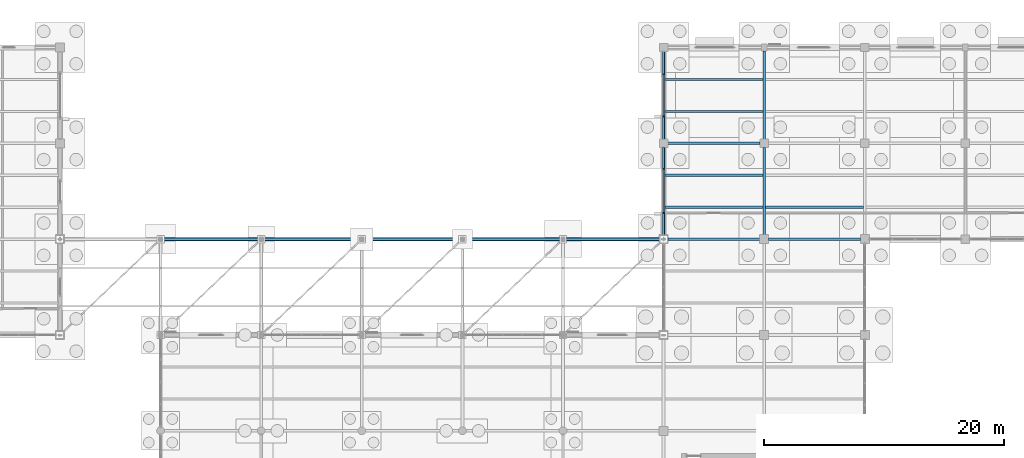
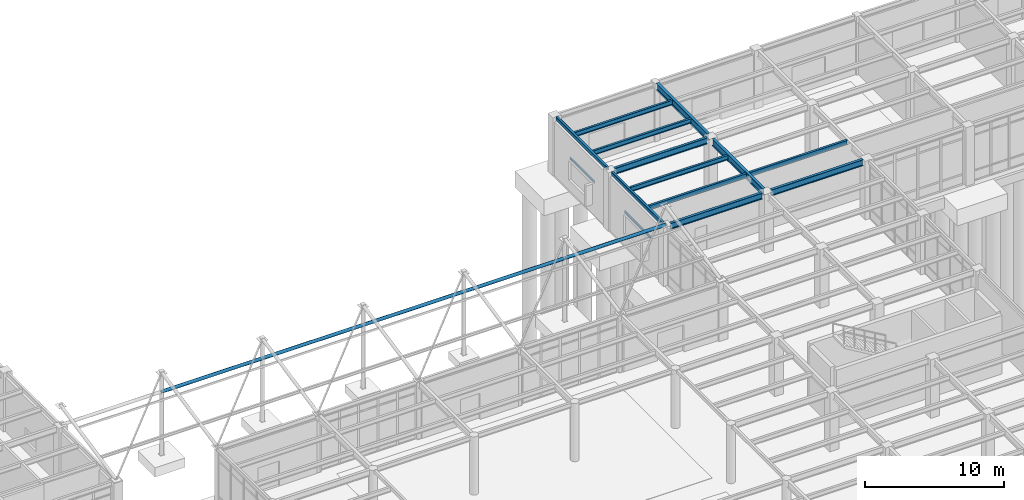
# One storey, part 50 of 138: 14 beams, 5 members.
"""IFC4 building model written with IfcOpenShell, lengths in metres."""

from ifc_helpers import new_model, si_unit, direction, frame, origin, origin_2d, place, context, subcontext, project, spatial, hollow_rectangle, hollow_circle, i_section, extrude, material, material_profile, profile_set, type_object, element, save


model = new_model("IFC4")

# Units and contexts
model_context = context("Model", 3, precision=1e-05, world=origin(), true_north=direction((0.0, 1.0)))
body_context = subcontext(model_context, "Body", "Model", "MODEL_VIEW")
ifc_project = project(units=[si_unit("LENGTHUNIT", "METRE"), si_unit("AREAUNIT", "SQUARE_METRE"), si_unit("VOLUMEUNIT", "CUBIC_METRE"), si_unit("PLANEANGLEUNIT", "RADIAN"), si_unit("MASSUNIT", "GRAM", prefix="KILO")], contexts=[model_context])

# Site, building, storey
site_placement = place(None, origin())
site = spatial("IfcSite", under=ifc_project, at=site_placement, CompositionType="ELEMENT")
building_placement = place(site_placement, origin())
building = spatial("IfcBuilding", under=site, at=building_placement, Name="Kranzveld Transit Interchange", CompositionType="ELEMENT")
storey_placement = place(building_placement, origin())
storey = spatial("IfcBuildingStorey", under=building, at=storey_placement, Name="L00", CompositionType="ELEMENT", Elevation=0.0)

# Beams
ifc_material_1 = material(Name="Steel S355JR", Category="steel")
ifc_material_profile_1 = material_profile(ifc_material_1, hollow_rectangle(XDim=0.199951171875, YDim=0.300048828125, WallThickness=0.010009765625, InnerFilletRadius=0.014892578125, OuterFilletRadius=0.02490234375, at=origin_2d()), Name="RHS 300x200x10")
ifc_profile_set_1 = profile_set([ifc_material_profile_1], Name="Steel S355JR")
beam_type_1 = type_object("IfcBeamType", Name="Edge Spandrel RHS 300x200x10 S355JR", PredefinedType="SPANDREL", material=ifc_profile_set_1)
beam_1_placement = place(storey_placement, frame((100.800048828125, 96.364990234375, 5.0), z_axis=(0.0, 1.0, 0.0), x_axis=(-1.0, 0.0, 0.0)))
element("IfcBeam", 1, at=beam_1_placement, inside=storey, type_object=beam_type_1, Name="L00 Girder 13/N-P", PredefinedType="SPANDREL", context=body_context, shape_type="SweptSolid", body=[
    extrude(hollow_rectangle(XDim=0.199951171875, YDim=0.300048828125, WallThickness=0.010009765625, InnerFilletRadius=0.014892578125, OuterFilletRadius=0.02490234375, at=origin_2d()), origin(), (0.0, 0.0, 1.0), 7.294921875),
])
beam_2_placement = place(storey_placement, frame((100.800048828125, 104.340087890625, 5.0), z_axis=(0.0, 1.0, 0.0), x_axis=(-1.0, 0.0, 0.0)))
element("IfcBeam", 2, at=beam_2_placement, inside=storey, type_object=beam_type_1, Name="L00 Girder 13/P-Q", PredefinedType="SPANDREL", context=body_context, shape_type="SweptSolid", body=[
    extrude(hollow_rectangle(XDim=0.199951171875, YDim=0.300048828125, WallThickness=0.010009765625, InnerFilletRadius=0.014892578125, OuterFilletRadius=0.02490234375, at=origin_2d()), origin(), (0.0, 0.0, 1.0), 7.31982421875),
])
ifc_material_2 = material(Name="Steel S355JR", Category="steel")
ifc_material_profile_2 = material_profile(ifc_material_2, i_section(OverallWidth=0.177734375, OverallDepth=0.402587890625, WebThickness=0.0078125, FlangeThickness=0.010986328125, FilletRadius=0.01025390625, at=origin_2d()), Name="UB 406x178x54")
ifc_profile_set_2 = profile_set([ifc_material_profile_2], Name="Steel S355JR")
beam_type_2 = type_object("IfcBeamType", Name="Floor Joist UB 406x178x54 S355JR", PredefinedType="JOIST", material=ifc_profile_set_2)
for number, where, z_axis, x_axis, name in (
    (3, (100.902099609375, 98.666748046875, 4.94873046875), (1.0, 0.0, 0.0), (0.0, 1.0, 0.0), "L00 Secondary Joist 13-14/N.1"),
    (4, (100.902099609375, 101.333251953125, 4.94873046875), (1.0, 0.0, 0.0), (0.0, 1.0, 0.0), "L00 Secondary Joist 13-14/N.2"),
    (5, (100.902099609375, 106.666748046875, 4.94873046875), (1.0, 0.0, 0.0), (0.0, 1.0, 0.0), "L00 Secondary Joist 13-14/P.1"),
    (6, (100.902099609375, 109.333251953125, 4.94873046875), (1.0, 0.0, 0.0), (0.0, 1.0, 0.0), "L00 Secondary Joist 13-14/P.2"),
):
    element("IfcBeam", number, at=place(storey_placement, frame(where, z_axis=z_axis, x_axis=x_axis)), inside=storey, type_object=beam_type_2, Name=name, PredefinedType="JOIST", context=body_context, shape_type="SweptSolid", body=[
        extrude(i_section(OverallWidth=0.177734375, OverallDepth=0.402587890625, WebThickness=0.0078125, FlangeThickness=0.010986328125, FilletRadius=0.01025390625, at=origin_2d()), origin(), (0.0, 0.0, 1.0), 8.181884765625),
    ])
beam_3_placement = place(storey_placement, frame((109.316162109375, 98.666748046875, 4.94873046875), z_axis=(1.0, 0.0, 0.0), x_axis=(0.0, 1.0, 0.0)))
element("IfcBeam", 7, at=beam_3_placement, inside=storey, type_object=beam_type_2, Name="L00 Secondary Joist 14-15/N.1", PredefinedType="JOIST", context=body_context, shape_type="SweptSolid", body=[
    extrude(i_section(OverallWidth=0.177734375, OverallDepth=0.402587890625, WebThickness=0.0078125, FlangeThickness=0.010986328125, FilletRadius=0.01025390625, at=origin_2d()), origin(), (0.0, 0.0, 1.0), 8.167724609375),
])
ifc_material_3 = material(Name="Steel S355JR", Category="steel")
ifc_material_profile_3 = material_profile(ifc_material_3, i_section(OverallWidth=0.2119140625, OverallDepth=0.54443359375, WebThickness=0.0126953125, FlangeThickness=0.021240234375, FilletRadius=0.0126953125, at=origin_2d()), Name="UB 533x210x122")
ifc_profile_set_3 = profile_set([ifc_material_profile_3], Name="Steel S355JR")
beam_type_3 = type_object("IfcBeamType", Name="Girder Steel UB 533x210x122 S355JR", PredefinedType="BEAM", material=ifc_profile_set_3)
beam_4_placement = place(storey_placement, frame((101.1650390625, 96.0, 4.877685546875), z_axis=(1.0, 0.0, 0.0), x_axis=(0.0, 1.0, 0.0)))
element("IfcBeam", 8, at=beam_4_placement, inside=storey, type_object=beam_type_3, Name="L00 Girder 13-14/N", PredefinedType="BEAM", context=body_context, shape_type="SweptSolid", body=[
    extrude(i_section(OverallWidth=0.2119140625, OverallDepth=0.54443359375, WebThickness=0.0126953125, FlangeThickness=0.021240234375, FilletRadius=0.0126953125, at=origin_2d()), origin(), (0.0, 0.0, 1.0), 7.669921875),
])
beam_5_placement = place(storey_placement, frame((109.56494140625, 96.0, 4.877685546875), z_axis=(1.0, 0.0, 0.0), x_axis=(0.0, 1.0, 0.0)))
element("IfcBeam", 9, at=beam_5_placement, inside=storey, type_object=beam_type_3, Name="L00 Girder 14-15/N", PredefinedType="BEAM", context=body_context, shape_type="SweptSolid", body=[
    extrude(i_section(OverallWidth=0.2119140625, OverallDepth=0.54443359375, WebThickness=0.0126953125, FlangeThickness=0.021240234375, FilletRadius=0.0126953125, at=origin_2d()), origin(), (0.0, 0.0, 1.0), 7.670166015625),
])
beam_6_placement = place(storey_placement, frame((101.139892578125, 104.0, 4.877685546875), z_axis=(1.0, 0.0, 0.0), x_axis=(0.0, 1.0, 0.0)))
element("IfcBeam", 10, at=beam_6_placement, inside=storey, type_object=beam_type_3, Name="L00 Girder 13-14/P", PredefinedType="BEAM", context=body_context, shape_type="SweptSolid", body=[
    extrude(i_section(OverallWidth=0.2119140625, OverallDepth=0.54443359375, WebThickness=0.0126953125, FlangeThickness=0.021240234375, FilletRadius=0.0126953125, at=origin_2d()), origin(), (0.0, 0.0, 1.0), 7.72021484375),
])
ifc_material_4 = material(Name="Steel S355JR", Category="steel")
ifc_material_profile_4 = material_profile(ifc_material_4, i_section(OverallWidth=0.228271484375, OverallDepth=0.607666015625, WebThickness=0.010986328125, FlangeThickness=0.017333984375, FilletRadius=0.0126953125, at=origin_2d()), Name="UB 610x229x113")
ifc_profile_set_4 = profile_set([ifc_material_profile_4], Name="Steel S355JR")
beam_type_4 = type_object("IfcBeamType", Name="Girder Steel UB 610x229x113 S355JR", PredefinedType="BEAM", material=ifc_profile_set_4)
beam_7_placement = place(storey_placement, frame((109.199951171875, 96.364990234375, 4.84619140625), z_axis=(0.0, 1.0, 0.0), x_axis=(-1.0, 0.0, 0.0)))
element("IfcBeam", 11, at=beam_7_placement, inside=storey, type_object=beam_type_4, Name="L00 Girder 14/N-P", PredefinedType="BEAM", context=body_context, shape_type="SweptSolid", body=[
    extrude(i_section(OverallWidth=0.228271484375, OverallDepth=0.607666015625, WebThickness=0.010986328125, FlangeThickness=0.017333984375, FilletRadius=0.0126953125, at=origin_2d()), origin(), (0.0, 0.0, 1.0), 7.294921875),
])
beam_8_placement = place(storey_placement, frame((109.199951171875, 104.340087890625, 4.84619140625), z_axis=(0.0, 1.0, 0.0), x_axis=(-1.0, 0.0, 0.0)))
element("IfcBeam", 12, at=beam_8_placement, inside=storey, type_object=beam_type_4, Name="L00 Girder 14/P-Q", PredefinedType="BEAM", context=body_context, shape_type="SweptSolid", body=[
    extrude(i_section(OverallWidth=0.228271484375, OverallDepth=0.607666015625, WebThickness=0.010986328125, FlangeThickness=0.017333984375, FilletRadius=0.0126953125, at=origin_2d()), origin(), (0.0, 0.0, 1.0), 7.369873046875),
])
ifc_material_5 = material(Name="Steel S355JR", Category="steel")
ifc_material_profile_5 = material_profile(ifc_material_5, i_section(OverallWidth=0.091064453125, OverallDepth=0.179931640625, WebThickness=0.00537109375, FlangeThickness=0.008056640625, FilletRadius=0.009033203125, at=origin_2d()), Name="IPE 180")
ifc_profile_set_5 = profile_set([ifc_material_profile_5], Name="Steel S355JR")
beam_type_5 = type_object("IfcBeamType", Name="Opening Lintel IPE 180 S355JR", PredefinedType="LINTEL", material=ifc_profile_set_5)
beam_9_placement = place(storey_placement, frame((100.800048828125, 106.219970703125, 2.64501953125), z_axis=(0.0, 1.0, 0.0), x_axis=(-1.0, 0.0, 0.0)))
element("IfcBeam", 13, at=beam_9_placement, inside=storey, type_object=beam_type_5, Name="L00 Window Lintel 023", PredefinedType="LINTEL", context=body_context, shape_type="SweptSolid", body=[
    extrude(i_section(OverallWidth=0.091064453125, OverallDepth=0.179931640625, WebThickness=0.00537109375, FlangeThickness=0.008056640625, FilletRadius=0.009033203125, at=origin_2d()), origin(), (0.0, 0.0, 1.0), 3.56005859375),
])
ifc_material_6 = material(Name="Steel S355JR", Category="steel")
ifc_material_profile_6 = material_profile(ifc_material_6, i_section(OverallWidth=0.10009765625, OverallDepth=0.199951171875, WebThickness=0.005615234375, FlangeThickness=0.008544921875, FilletRadius=0.011962890625, at=origin_2d()), Name="IPE 200")
ifc_profile_set_6 = profile_set([ifc_material_profile_6], Name="Steel S355JR")
beam_type_6 = type_object("IfcBeamType", Name="Opening Lintel IPE 200 S355JR", PredefinedType="LINTEL", material=ifc_profile_set_6)
beam_10_placement = place(storey_placement, frame((100.800048828125, 98.132568359375, 2.705078125), z_axis=(0.0, 1.0, 0.0), x_axis=(-1.0, 0.0, 0.0)))
element("IfcBeam", 14, at=beam_10_placement, inside=storey, type_object=beam_type_6, Name="L00 Window Lintel 022", PredefinedType="LINTEL", context=body_context, shape_type="SweptSolid", body=[
    extrude(i_section(OverallWidth=0.10009765625, OverallDepth=0.199951171875, WebThickness=0.005615234375, FlangeThickness=0.008544921875, FilletRadius=0.011962890625, at=origin_2d()), origin(), (0.0, 0.0, 1.0), 3.760009765625),
])

# Members
ifc_material_7 = material(Name="Steel S355JR", Category="steel")
ifc_material_profile_7 = material_profile(ifc_material_7, hollow_circle(Radius=0.136474609375, WallThickness=0.010009765625, at=origin_2d()), Name="CHS 273x10")
ifc_profile_set_7 = profile_set([ifc_material_profile_7], Name="Steel S355JR")
member_type = type_object("IfcMemberType", Name="Truss Chord CHS 273x10 S355JR", PredefinedType="CHORD", material=ifc_profile_set_7)
member_1_placement = place(storey_placement, frame((58.800048828125, 96.0, 5.10009765625), z_axis=(1.0, 0.0, 0.0), x_axis=(0.0, 1.0, 0.0)))
element("IfcMember", 15, at=member_1_placement, inside=storey, type_object=member_type, Name="Forecourt Canopy Tie Chord 08", PredefinedType="CHORD", context=body_context, shape_type="SweptSolid", body=[
    extrude(hollow_circle(Radius=0.136474609375, WallThickness=0.010009765625, at=origin_2d()), origin(), (0.0, 0.0, 1.0), 8.39990234375),
])
member_2_placement = place(storey_placement, frame((67.199951171875, 96.0, 5.10009765625), z_axis=(1.0, 0.0, 0.0), x_axis=(0.0, 1.0, 0.0)))
element("IfcMember", 16, at=member_2_placement, inside=storey, type_object=member_type, Name="Forecourt Canopy Tie Chord 09", PredefinedType="CHORD", context=body_context, shape_type="SweptSolid", body=[
    extrude(hollow_circle(Radius=0.136474609375, WallThickness=0.010009765625, at=origin_2d()), origin(), (0.0, 0.0, 1.0), 8.400146484375),
])
for number, where, z_axis, x_axis, name in (
    (17, (75.60009765625, 96.0, 5.10009765625), (1.0, 0.0, 0.0), (0.0, 1.0, 0.0), "Forecourt Canopy Tie Chord 10"),
    (18, (84.0, 96.0, 5.10009765625), (1.0, 0.0, 0.0), (0.0, 1.0, 0.0), "Forecourt Canopy Tie Chord 11"),
):
    element("IfcMember", number, at=place(storey_placement, frame(where, z_axis=z_axis, x_axis=x_axis)), inside=storey, type_object=member_type, Name=name, PredefinedType="CHORD", context=body_context, shape_type="SweptSolid", body=[
        extrude(hollow_circle(Radius=0.136474609375, WallThickness=0.010009765625, at=origin_2d()), origin(), (0.0, 0.0, 1.0), 8.39990234375),
    ])
member_3_placement = place(storey_placement, frame((92.39990234375, 96.0, 5.10009765625), z_axis=(1.0, 0.0, 0.0), x_axis=(0.0, 1.0, 0.0)))
element("IfcMember", 19, at=member_3_placement, inside=storey, type_object=member_type, Name="Forecourt Canopy Tie Chord 12", PredefinedType="CHORD", context=body_context, shape_type="SweptSolid", body=[
    extrude(hollow_circle(Radius=0.136474609375, WallThickness=0.010009765625, at=origin_2d()), origin(), (0.0, 0.0, 1.0), 8.400146484375),
])

save(model, "model.ifc")
